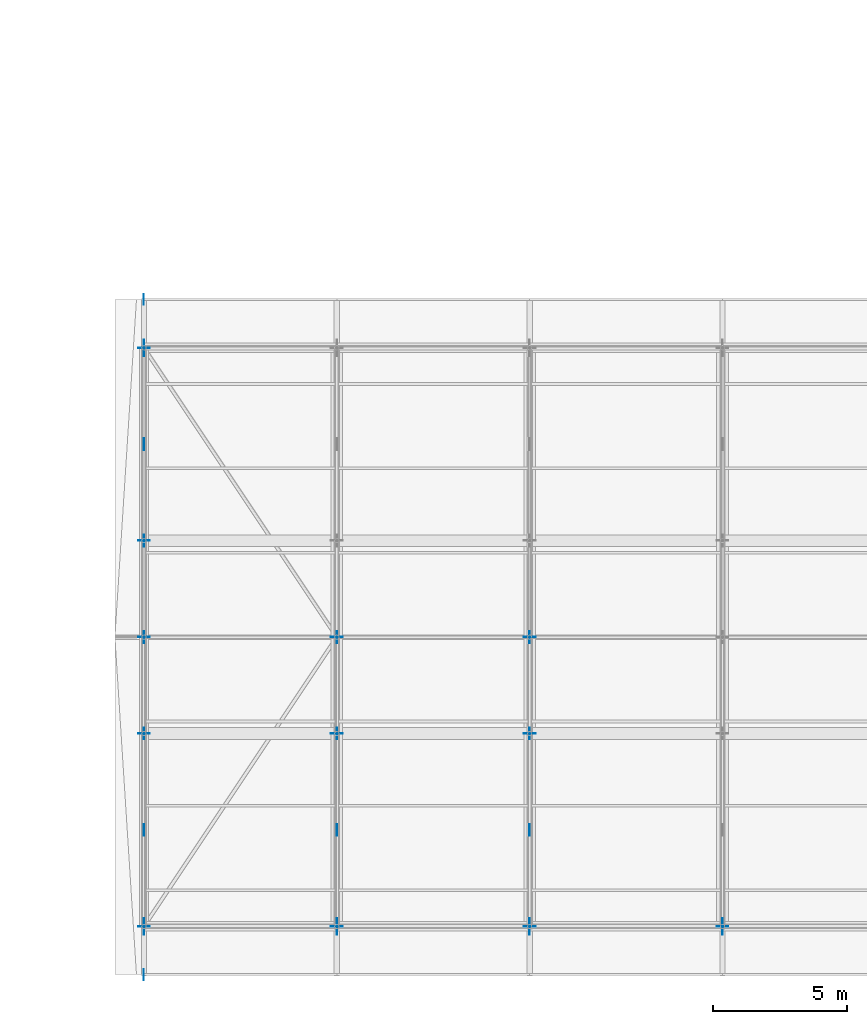
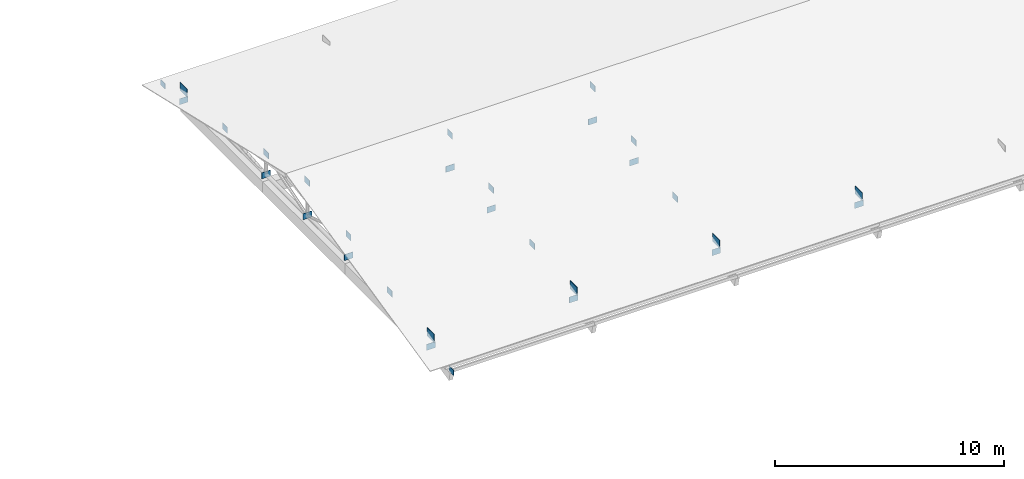
# One storey, part 68 of 93: 30 plates.
"""IFC4 building model written with IfcOpenShell, lengths in metres."""

from ifc_helpers import new_model, si_unit, direction, frame, origin, origin_2d, place, context, subcontext, project, spatial, rectangle, extrude, material, layer, layer_set, type_object, element, save


model = new_model("IFC4")

# Units and contexts
model_context = context("Model", 3, precision=1e-05, world=origin(), true_north=direction((0.0, 1.0)))
body_context = subcontext(model_context, "Body", "Model", "MODEL_VIEW")
ifc_project = project(units=[si_unit("LENGTHUNIT", "METRE"), si_unit("AREAUNIT", "SQUARE_METRE"), si_unit("VOLUMEUNIT", "CUBIC_METRE"), si_unit("PLANEANGLEUNIT", "RADIAN"), si_unit("MASSUNIT", "GRAM", prefix="KILO")], contexts=[model_context])

# Site, building, storey
site_placement = place(None, origin())
site = spatial("IfcSite", under=ifc_project, at=site_placement, CompositionType="ELEMENT")
building_placement = place(site_placement, origin())
building = spatial("IfcBuilding", under=site, at=building_placement, Name="Zornivar Specialist Clinic", CompositionType="ELEMENT")
storey_placement = place(building_placement, frame((0.0, 0.0, 8.39990234375)))
storey = spatial("IfcBuildingStorey", under=building, at=storey_placement, Name="L02", CompositionType="ELEMENT", Elevation=8.39990234375)

# Plates
ifc_material_1 = material(Name="Steel S355J2", Category="steel")
ifc_layer_1 = layer(ifc_material_1, 0.01611328125)
ifc_layer_set_1 = layer_set([ifc_layer_1], Name="Steel S355J2")
plate_type_1 = type_object("IfcPlateType", Name="PL-END-16", PredefinedType="USERDEFINED", material=ifc_layer_set_1)
for number, where, z_axis, x_axis, name in (
    (1, (122.39208984375, -1.800048828125, -0.44580078125), (0.0, 0.0, 1.0), (1.0, 0.0, 0.0), "plate:V4:L02:ecapW:00"),
    (2, (122.39208984375, 23.39990234375, -0.44580078125), (0.0, 0.0, 1.0), (1.0, 0.0, 0.0), "plate:V4:L02:ecapW:08"),
):
    element("IfcPlate", number, at=place(storey_placement, frame(where, z_axis=z_axis, x_axis=x_axis)), inside=storey, type_object=plate_type_1, Name=name, ObjectType="END PLATE", PredefinedType="USERDEFINED", context=body_context, shape_type="SweptSolid", body=[
        extrude(rectangle(XDim=0.01611328125, YDim=0.39990234375, at=origin_2d()), origin(), (0.0, 0.0, 1.0), 0.280029296875),
    ])
ifc_material_2 = material(Name="Steel S355J2", Category="steel")
ifc_layer_2 = layer(ifc_material_2, 0.02197265625)
ifc_layer_set_2 = layer_set([ifc_layer_2], Name="Steel S355J2")
plate_type_2 = type_object("IfcPlateType", Name="PL-GUSSET-HEEL-22", PredefinedType="USERDEFINED", material=ifc_layer_set_2)
for number, where, z_axis, x_axis, name in (
    (3, (122.39990234375, 0.0, 0.27001953125), (0.0, 0.0, 1.0), (1.0, 0.0, 0.0), "plate:V4:L02:heel:0:S"),
    (4, (122.39990234375, 21.60009765625, 0.27001953125), (0.0, 0.0, 1.0), (1.0, 0.0, 0.0), "plate:V4:L02:heel:0:N"),
    (5, (129.60009765625, 0.0, 0.27001953125), (0.0, 0.0, 1.0), (1.0, 0.0, 0.0), "plate:V4:L02:heel:1:S"),
    (6, (136.800048828125, 0.0, 0.27001953125), (0.0, 0.0, 1.0), (1.0, 0.0, 0.0), "plate:V4:L02:heel:2:S"),
    (7, (144.0, 0.0, 0.27001953125), (0.0, 0.0, 1.0), (1.0, 0.0, 0.0), "plate:V4:L02:heel:3:S"),
):
    element("IfcPlate", number, at=place(storey_placement, frame(where, z_axis=z_axis, x_axis=x_axis)), inside=storey, type_object=plate_type_2, Name=name, ObjectType="GUSSET PLATE", PredefinedType="USERDEFINED", context=body_context, shape_type="SweptSolid", body=[
        extrude(rectangle(XDim=0.02197265625, YDim=0.6201171875, at=origin_2d()), origin(), (0.0, 0.0, 1.0), 0.43994140625),
    ])
ifc_material_3 = material(Name="Steel S355J2", Category="steel")
ifc_layer_3 = layer(ifc_material_3, 0.01806640625)
ifc_layer_set_3 = layer_set([ifc_layer_3], Name="Steel S355J2")
plate_type_3 = type_object("IfcPlateType", Name="PL-GUSSET-V4-18", PredefinedType="USERDEFINED", material=ifc_layer_set_3)
for number, where, z_axis, x_axis, name in (
    (8, (122.39990234375, 10.800048828125, 2.001953125), (0.0, 0.0, 1.0), (1.0, 0.0, 0.0), "plate:V4:L02:ridge:0"),
    (9, (129.60009765625, 10.800048828125, 2.001953125), (0.0, 0.0, 1.0), (1.0, 0.0, 0.0), "plate:V4:L02:ridge:1"),
    (10, (136.800048828125, 10.800048828125, 2.001953125), (0.0, 0.0, 1.0), (1.0, 0.0, 0.0), "plate:V4:L02:ridge:2"),
):
    element("IfcPlate", number, at=place(storey_placement, frame(where, z_axis=z_axis, x_axis=x_axis)), inside=storey, type_object=plate_type_3, Name=name, ObjectType="GUSSET PLATE", PredefinedType="USERDEFINED", context=body_context, shape_type="SweptSolid", body=[
        extrude(rectangle(XDim=0.01806640625, YDim=0.43994140625, at=origin_2d()), origin(), (0.0, 0.0, 1.0), 0.320068359375),
    ])
for number, where, z_axis, x_axis, name in (
    (11, (122.39990234375, 0.0, -0.23974609375), (0.0, 0.0, 1.0), (1.0, 0.0, 0.0), "plate:bnode:L02:091"),
    (12, (122.39990234375, 21.60009765625, -0.23974609375), (0.0, 0.0, 1.0), (1.0, 0.0, 0.0), "plate:bnode:L02:092"),
    (13, (122.39990234375, 10.800048828125, 0.18017578125), (0.0, 0.0, 1.0), (1.0, 0.0, 0.0), "plate:bnode:L02:093"),
    (14, (122.39990234375, 7.199951171875, 1.2939453125), (0.0, 0.0, 1.0), (0.0, 1.0, 0.0), "plate:bnode:L02:094"),
    (15, (122.39990234375, 7.199951171875, 0.18017578125), (0.0, 0.0, 1.0), (1.0, 0.0, 0.0), "plate:bnode:L02:095"),
    (16, (122.39990234375, 3.60009765625, 0.46484375), (0.0, 0.0, 1.0), (0.0, 1.0, 0.0), "plate:bnode:L02:096"),
    (17, (122.39990234375, 14.39990234375, 1.2939453125), (0.0, 0.0, 1.0), (0.0, 1.0, 0.0), "plate:bnode:L02:097"),
    (18, (122.39990234375, 14.39990234375, 0.18017578125), (0.0, 0.0, 1.0), (1.0, 0.0, 0.0), "plate:bnode:L02:098"),
    (19, (122.39990234375, 18.0, 0.46484375), (0.0, 0.0, 1.0), (0.0, 1.0, 0.0), "plate:bnode:L02:099"),
    (20, (129.60009765625, 0.0, -0.23974609375), (0.0, 0.0, 1.0), (1.0, 0.0, 0.0), "plate:bnode:L02:100"),
    (21, (129.60009765625, 10.800048828125, 0.18017578125), (0.0, 0.0, 1.0), (1.0, 0.0, 0.0), "plate:bnode:L02:102"),
    (22, (129.60009765625, 7.199951171875, 1.2939453125), (0.0, 0.0, 1.0), (0.0, 1.0, 0.0), "plate:bnode:L02:103"),
    (23, (129.60009765625, 7.199951171875, 0.18017578125), (0.0, 0.0, 1.0), (1.0, 0.0, 0.0), "plate:bnode:L02:104"),
    (24, (129.60009765625, 3.60009765625, 0.46484375), (0.0, 0.0, 1.0), (0.0, 1.0, 0.0), "plate:bnode:L02:105"),
    (25, (136.800048828125, 0.0, -0.23974609375), (0.0, 0.0, 1.0), (1.0, 0.0, 0.0), "plate:bnode:L02:109"),
    (26, (136.800048828125, 10.800048828125, 0.18017578125), (0.0, 0.0, 1.0), (1.0, 0.0, 0.0), "plate:bnode:L02:111"),
    (27, (136.800048828125, 7.199951171875, 1.2939453125), (0.0, 0.0, 1.0), (0.0, 1.0, 0.0), "plate:bnode:L02:112"),
    (28, (136.800048828125, 7.199951171875, 0.18017578125), (0.0, 0.0, 1.0), (1.0, 0.0, 0.0), "plate:bnode:L02:113"),
    (29, (136.800048828125, 3.60009765625, 0.46484375), (0.0, 0.0, 1.0), (0.0, 1.0, 0.0), "plate:bnode:L02:114"),
    (30, (144.0, 0.0, -0.23974609375), (0.0, 0.0, 1.0), (1.0, 0.0, 0.0), "plate:bnode:L02:118"),
):
    element("IfcPlate", number, at=place(storey_placement, frame(where, z_axis=z_axis, x_axis=x_axis)), inside=storey, type_object=plate_type_3, Name=name, ObjectType="GUSSET PLATE", PredefinedType="USERDEFINED", context=body_context, shape_type="SweptSolid", body=[
        extrude(rectangle(XDim=0.43994140625, YDim=0.01806640625, at=origin_2d()), origin(), (0.0, 0.0, 1.0), 0.320068359375),
    ])

save(model, "model.ifc")
